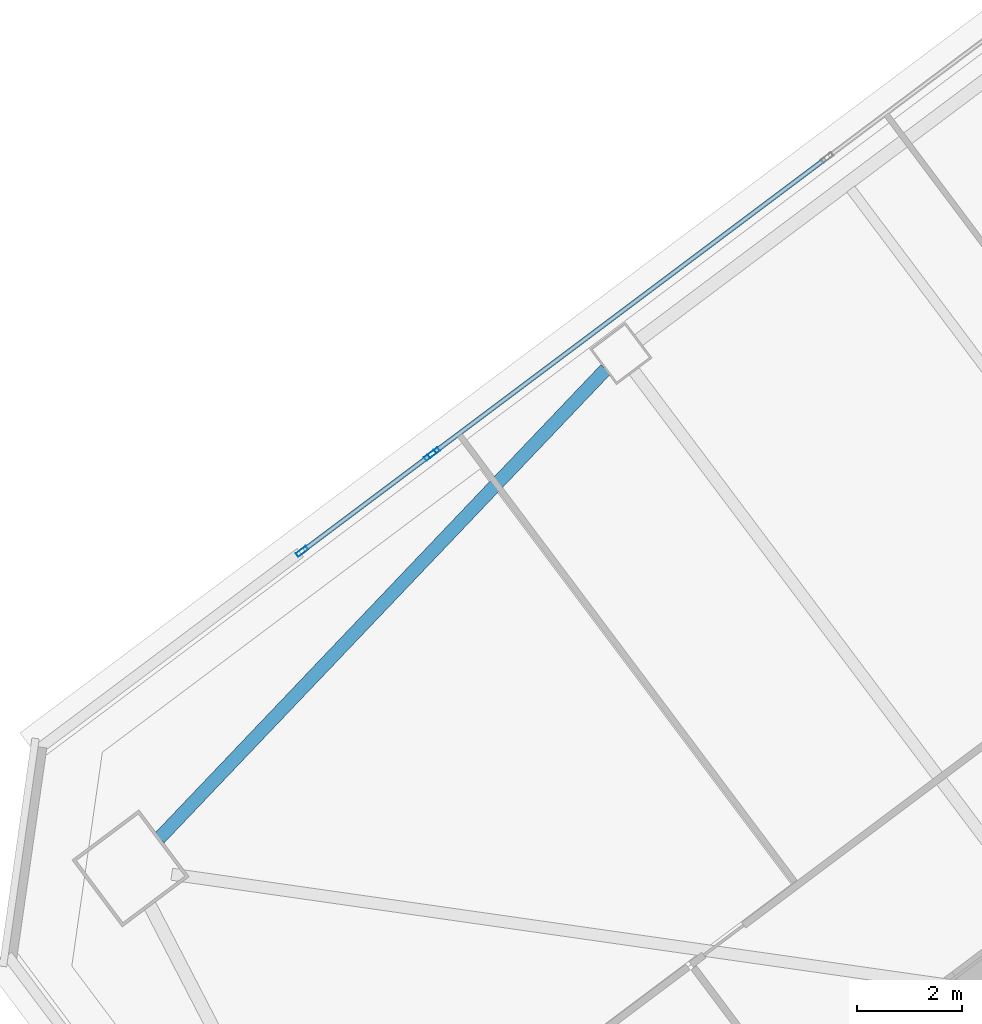
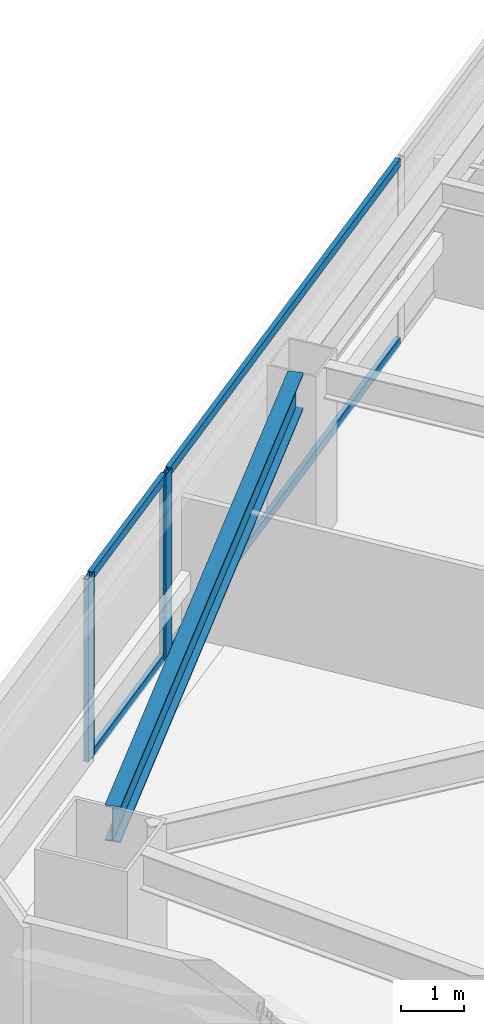
# One storey, part 28 of 46: 7 members, 1 beam, 2 elements without a shape of their own.
"""IFC4 building model written with IfcOpenShell, lengths in metres."""

from ifc_helpers import new_model, si_unit, direction, frame, origin, origin_2d, place, context, subcontext, project, spatial, hollow_rectangle, i_section, extrude, material, material_profile, profile_set, type_object, element, aggregate, save


model = new_model("IFC4")

# Units and contexts
model_context = context("Model", 3, precision=1e-05, world=origin(), true_north=direction((0.0, 1.0)))
body_context = subcontext(model_context, "Body", "Model", "MODEL_VIEW")
ifc_project = project(units=[si_unit("LENGTHUNIT", "METRE"), si_unit("AREAUNIT", "SQUARE_METRE"), si_unit("VOLUMEUNIT", "CUBIC_METRE"), si_unit("PLANEANGLEUNIT", "RADIAN"), si_unit("MASSUNIT", "GRAM", prefix="KILO")], contexts=[model_context])

# Site, building, storey
site_placement = place(None, origin())
site = spatial("IfcSite", under=ifc_project, at=site_placement, CompositionType="ELEMENT")
building_placement = place(site_placement, origin())
building = spatial("IfcBuilding", under=site, at=building_placement, Name="Tashvorn Skyway Center", CompositionType="ELEMENT")
storey_placement = place(building_placement, frame((0.0, 0.0, 60.10009765625)))
storey = spatial("IfcBuildingStorey", under=building, at=storey_placement, Name="L15", CompositionType="ELEMENT", Elevation=60.10009765625)

# Beam
ifc_material_1 = material(Name="Steel ASTM A992 Grade 50", Category="steel")
ifc_material_profile_1 = material_profile(ifc_material_1, i_section(OverallWidth=0.256103515625, OverallDepth=0.693115234375, WebThickness=0.014404296875, FlangeThickness=0.023681640625, at=origin_2d()), Name="W27X114")
ifc_profile_set_1 = profile_set([ifc_material_profile_1], Name="Steel ASTM A992 Grade 50")
beam_type = type_object("IfcBeamType", Name="BM-SPANDREL-W27X114", PredefinedType="SPANDREL", material=ifc_profile_set_1)
beam_placement = place(storey_placement, frame((96.76025390625, 45.2958984375, 3.00341796875), z_axis=(-0.689589637236, -0.724200339835, 0.0), x_axis=(0.724200339835, -0.689589637236, 0.0)))
element("IfcBeam", 1, at=beam_placement, inside=storey, type_object=beam_type, Name="Tower 2 L15 Spandrel Beam 09", PredefinedType="SPANDREL", context=body_context, shape_type="SweptSolid", body=[
    extrude(i_section(OverallWidth=0.256103515625, OverallDepth=0.693115234375, WebThickness=0.014404296875, FlangeThickness=0.023681640625, at=origin_2d()), origin(), (0.0, 0.0, 1.0), 12.37255859375),
])

# Curtain wall, members
ifc_material_2 = material(Name="Thermally broken bronze-anodized aluminium 6063-T6", Category="aluminium")
curtain_wall_type = type_object("IfcCurtainWallType", Name="CW-CW-Z1", PredefinedType="NOTDEFINED", material=ifc_material_2)
curtain_wall_1_placement = place(storey_placement, origin())
curtain_wall_1 = element("IfcCurtainWall", 2, at=curtain_wall_1_placement, inside=storey, type_object=curtain_wall_type, Name="Tower 2 L15 North Unitised Curtain Wall Glazing Group 1", PredefinedType="NOTDEFINED")
ifc_material_profile_2 = material_profile(ifc_material_2, hollow_rectangle(XDim=0.0849609375, YDim=0.239990234375, WallThickness=0.0048828125, at=origin_2d()), Name="ALU-MULL-85x240")
ifc_profile_set_2 = profile_set([ifc_material_profile_2], Name="Thermally broken bronze-anodized aluminium 6063-T6")
member_type_1 = type_object("IfcMemberType", Name="CWM-CW-Z1", PredefinedType="MULLION", material=ifc_profile_set_2)
member_1_placement = place(storey_placement, frame((90.956787109375, 41.8173828125, 0.0), z_axis=(0.0, 0.0, 1.0), x_axis=(-0.600005084776, 0.799996186392, 0.0)))
member_1 = element("IfcMember", 3, at=member_1_placement, type_object=member_type_1, Name="CW-Z1 mullion 1", PredefinedType="MULLION", context=body_context, shape_type="SweptSolid", body=[
    extrude(hollow_rectangle(XDim=0.0849609375, YDim=0.239990234375, WallThickness=0.0048828125, at=origin_2d()), origin(), (0.0, 0.0, 1.0), 3.5498046875),
])
member_2_placement = place(storey_placement, frame((93.406005859375, 43.654541015625, 0.0), z_axis=(0.0, 0.0, 1.0), x_axis=(-0.600005084776, 0.799996186392, 0.0)))
member_2 = element("IfcMember", 4, at=member_2_placement, type_object=member_type_1, Name="CW-Z1 mullion 2", PredefinedType="MULLION", context=body_context, shape_type="SweptSolid", body=[
    extrude(hollow_rectangle(XDim=0.0849609375, YDim=0.239990234375, WallThickness=0.0048828125, at=origin_2d()), origin(), (0.0, 0.0, 1.0), 3.5498046875),
])

# Curtain wall, member
curtain_wall_2_placement = place(storey_placement, origin())
curtain_wall_2 = element("IfcCurtainWall", 5, at=curtain_wall_2_placement, inside=storey, type_object=curtain_wall_type, Name="Tower 2 L15 North Unitised Curtain Wall Glazing Group 2", PredefinedType="NOTDEFINED")
member_3_placement = place(storey_placement, frame((93.47412109375, 43.70556640625, 0.0), z_axis=(0.0, 0.0, 1.0), x_axis=(-0.600000000002, 0.799999999998, 0.0)))
member_3 = element("IfcMember", 6, at=member_3_placement, type_object=member_type_1, Name="CW-Z1 mullion 1", PredefinedType="MULLION", context=body_context, shape_type="SweptSolid", body=[
    extrude(hollow_rectangle(XDim=0.0849609375, YDim=0.239990234375, WallThickness=0.0048828125, at=origin_2d()), origin(), (0.0, 0.0, 1.0), 3.5498046875),
])

# Member
ifc_material_profile_3 = material_profile(ifc_material_2, hollow_rectangle(XDim=0.0849609375, YDim=0.1650390625, WallThickness=0.0048828125, at=origin_2d()), Name="ALU-TRAN-85x165")
ifc_profile_set_3 = profile_set([ifc_material_profile_3], Name="Thermally broken bronze-anodized aluminium 6063-T6")
member_type_2 = type_object("IfcMemberType", Name="CWT-CW-Z1", PredefinedType="USERDEFINED", material=ifc_profile_set_3)
member_4_placement = place(storey_placement, frame((90.99072265625, 41.843017578125, 0.04248046875), z_axis=(0.800019684286, 0.599973753388, 0.0), x_axis=(-0.599973753388, 0.800019684286, 0.0)))
member_4 = element("IfcMember", 7, at=member_4_placement, type_object=member_type_2, Name="CW-Z1 transom 1.1", ObjectType="TRANSOM", PredefinedType="USERDEFINED", context=body_context, shape_type="SweptSolid", body=[
    extrude(hollow_rectangle(XDim=0.0849609375, YDim=0.1650390625, WallThickness=0.0048828125, at=origin_2d()), origin(), (0.0, 0.0, 1.0), 2.9765625),
])

member_5_placement = place(storey_placement, frame((90.99072265625, 41.843017578125, 3.50732421875), z_axis=(0.800019684286, 0.599973753388, 0.0), x_axis=(-0.599973753388, 0.800019684286, 0.0)))
member_5 = element("IfcMember", 8, at=member_5_placement, type_object=member_type_2, Name="CW-Z1 transom 1.2", ObjectType="TRANSOM", PredefinedType="USERDEFINED", context=body_context, shape_type="SweptSolid", body=[
    extrude(hollow_rectangle(XDim=0.0849609375, YDim=0.1650390625, WallThickness=0.0048828125, at=origin_2d()), origin(), (0.0, 0.0, 1.0), 2.9765625),
])

aggregate(curtain_wall_1, [member_1, member_2, member_4, member_5])

member_6_placement = place(storey_placement, frame((93.508056640625, 43.73095703125, 0.04248046875), z_axis=(0.799990562031, 0.600012583752, 0.0), x_axis=(-0.600012583752, 0.799990562031, 0.0)))
member_6 = element("IfcMember", 9, at=member_6_placement, type_object=member_type_2, Name="CW-Z1 transom 1.1", ObjectType="TRANSOM", PredefinedType="USERDEFINED", context=body_context, shape_type="SweptSolid", body=[
    extrude(hollow_rectangle(XDim=0.0849609375, YDim=0.1650390625, WallThickness=0.0048828125, at=origin_2d()), origin(), (0.0, 0.0, 1.0), 9.3125),
])

member_7_placement = place(storey_placement, frame((93.508056640625, 43.73095703125, 3.50732421875), z_axis=(0.799990562031, 0.600012583752, 0.0), x_axis=(-0.600012583752, 0.799990562031, 0.0)))
member_7 = element("IfcMember", 10, at=member_7_placement, type_object=member_type_2, Name="CW-Z1 transom 1.2", ObjectType="TRANSOM", PredefinedType="USERDEFINED", context=body_context, shape_type="SweptSolid", body=[
    extrude(hollow_rectangle(XDim=0.0849609375, YDim=0.1650390625, WallThickness=0.0048828125, at=origin_2d()), origin(), (0.0, 0.0, 1.0), 9.3125),
])

aggregate(curtain_wall_2, [member_3, member_6, member_7])

save(model, "model.ifc")
